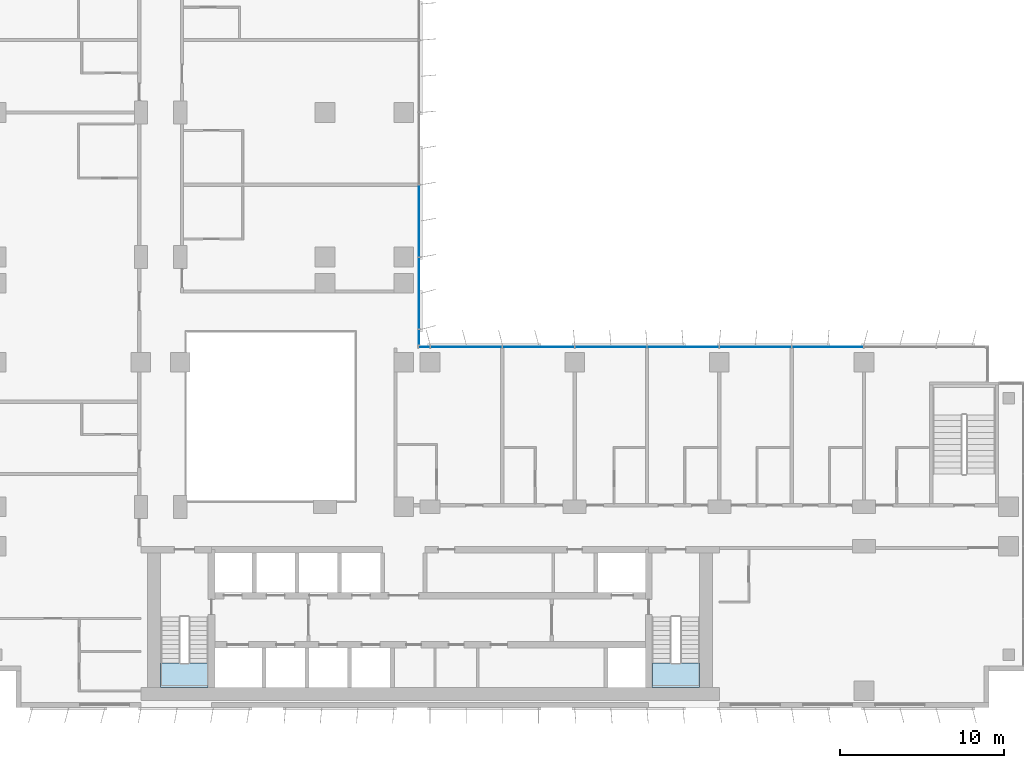
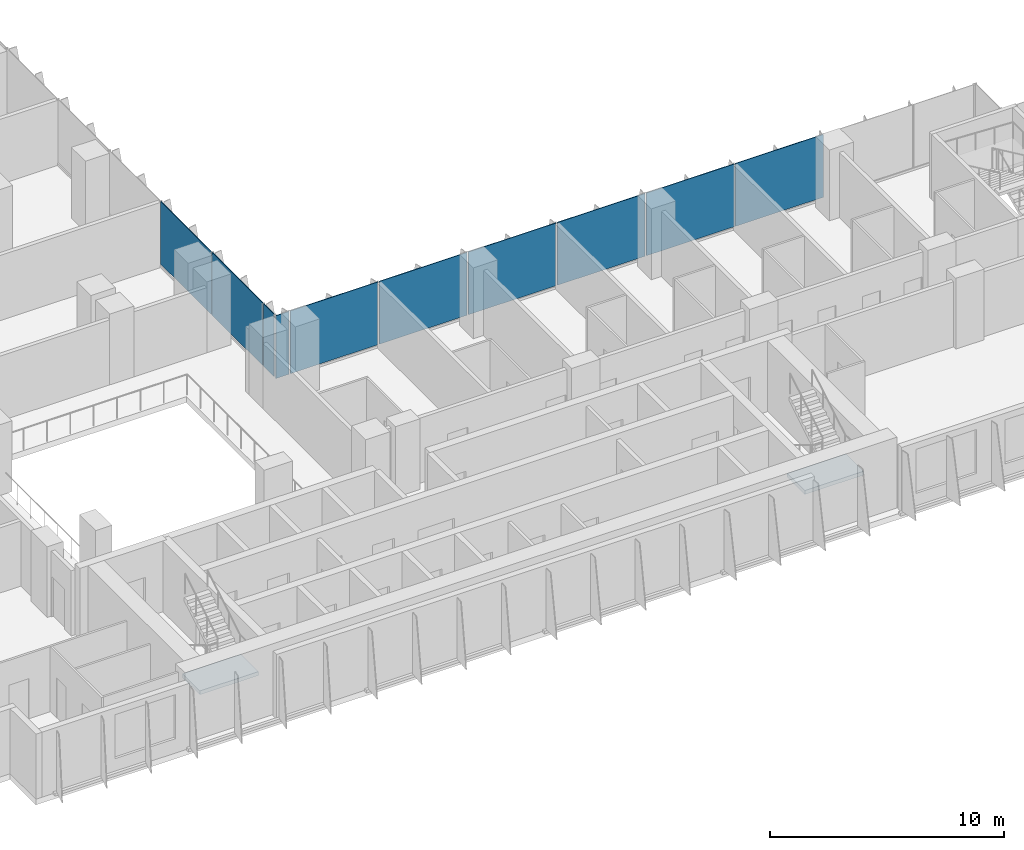
# One storey, part 10 of 22: 10 plates, 2 slabs, 4 elements without a shape of their own.
"""IFC4 building model written with IfcOpenShell, lengths in metres."""

import ifcopenshell
import ifcopenshell.guid

model = None  # the IFC model being written
_history = None  # IfcOwnerHistory: only IFC2X3 demands one
_inside = {}  # id of a spatial element -> (the spatial element, [elements in it])
_under = {}  # id of a project, library or spatial element -> (it, [spatial elements below it])
_declared = {}  # id of a project -> (the project, [libraries it declares])
_typed = {}  # id of a type object -> (the type object, [elements of that type])
_made_of = {}  # id of a material, layer set ... -> (it, [elements and type objects made of it])


def new_model(schema):
    """Start an empty IFC model of exactly this schema.

    Asked for "IFC4X3", IfcOpenShell would pick the latest addendum, in which some entities
    have other attributes; the version numbers below select the first issue.
    IFC2X3 requires an IfcOwnerHistory on every rooted entity: one is made here for all.
    """
    global model, _history
    if schema == "IFC4X3":
        model = ifcopenshell.file(schema_version=(4, 3, 0, 0))
    else:
        model = ifcopenshell.file(schema=schema)
    _inside.clear()
    _under.clear()
    _declared.clear()
    _typed.clear()
    _made_of.clear()
    _history = None
    if model.schema == "IFC2X3":
        org = make("IfcOrganization", Name="unknown")
        user = make(
            "IfcPersonAndOrganization",
            ThePerson=make("IfcPerson", FamilyName="unknown"),
            TheOrganization=org,
        )
        app = make(
            "IfcApplication",
            ApplicationDeveloper=org,
            Version="unknown",
            ApplicationFullName="unknown",
            ApplicationIdentifier="unknown",
        )
        _history = make(
            "IfcOwnerHistory",
            OwningUser=user,
            OwningApplication=app,
            ChangeAction="ADDED",
            CreationDate=0,
        )
    return model


def make(cls, **values):
    """One entity of the class cls with the attributes given. An attribute that is None is left unset."""
    return model.create_entity(
        cls, **{name: value for name, value in values.items() if value is not None}
    )


def rooted(cls, **values):
    """An entity with a GlobalId (a new one), such as an element, a storey or a relation."""
    return make(cls, GlobalId=ifcopenshell.guid.new(), OwnerHistory=_history, **values)


def si_unit(unit_type, name, prefix=None):
    """IfcSIUnit, for example si_unit("LENGTHUNIT", "METRE", prefix="MILLI")."""
    return make("IfcSIUnit", UnitType=unit_type, Prefix=prefix, Name=name)


def assignment(units):
    """IfcUnitAssignment: the units of a project."""
    return None if units is None else make("IfcUnitAssignment", Units=units)


def point(xyz):
    """IfcCartesianPoint."""
    return None if xyz is None else make("IfcCartesianPoint", Coordinates=xyz)


def direction(xyz):
    """IfcDirection."""
    return None if xyz is None else make("IfcDirection", DirectionRatios=xyz)


def frame(location, z_axis=None, x_axis=None):
    """IfcAxis2Placement3D, a coordinate frame: its origin and axes. An axis left out is left unset."""
    return make(
        "IfcAxis2Placement3D",
        Location=point(location),
        Axis=direction(z_axis),
        RefDirection=direction(x_axis),
    )


def frame_2d(location, x_axis=None):
    """IfcAxis2Placement2D, a coordinate frame in the plane: its origin and x axis."""
    return make(
        "IfcAxis2Placement2D", Location=point(location), RefDirection=direction(x_axis)
    )


def origin():
    """The frame at (0, 0, 0) with its axes left unset."""
    return frame((0.0, 0.0, 0.0))


def origin_2d():
    """The frame at (0, 0) in the plane with its x axis left unset."""
    return frame_2d((0.0, 0.0))


def place(relative_to, where):
    """IfcLocalPlacement: puts the frame where relative to a parent placement (None: the world)."""
    return make(
        "IfcLocalPlacement", PlacementRelTo=relative_to, RelativePlacement=where
    )


def context(
    kind, dimensions, precision=None, world=None, true_north=None, identifier=None
):
    """IfcGeometricRepresentationContext, for example the 3D "Model" context."""
    return make(
        "IfcGeometricRepresentationContext",
        ContextIdentifier=identifier,
        ContextType=kind,
        CoordinateSpaceDimension=dimensions,
        Precision=precision,
        WorldCoordinateSystem=world,
        TrueNorth=true_north,
    )


def subcontext(parent, identifier, kind, view, scale=None):
    """IfcGeometricRepresentationSubContext, for example "Body" below "Model"."""
    return make(
        "IfcGeometricRepresentationSubContext",
        ContextIdentifier=identifier,
        ContextType=kind,
        ParentContext=parent,
        TargetScale=scale,
        TargetView=view,
    )


def project(units=None, contexts=None):
    """IfcProject with its units and contexts."""
    return rooted(
        "IfcProject",
        Name="project",
        RepresentationContexts=contexts,
        UnitsInContext=assignment(units),
    )


def spatial(cls, under=None, at=None, **own):
    """A site, building, storey or space (cls), placed at a placement, below another one or the project."""
    s = rooted(cls, ObjectPlacement=at, **own)
    if under is not None:
        _under.setdefault(under.id(), (under, []))[1].append(s)
    return s


def polyline(points):
    """IfcPolyline through the points."""
    return make("IfcPolyline", Points=[point(p) for p in points])


def profile(cls, at=None, kind="AREA", **sizes):
    """A parametric profile (cls). Its sizes go by their IFC names, for example OverallWidth=200.0."""
    return make(cls, ProfileType=kind, Position=at, **sizes)


def rectangle(**sizes):
    """IfcRectangleProfileDef."""
    return profile("IfcRectangleProfileDef", **sizes)


def outline(outer, holes=None, kind="AREA"):
    """IfcArbitraryClosedProfileDef: a profile drawn as a closed curve; with holes, ...WithVoids."""
    if holes is None:
        return make("IfcArbitraryClosedProfileDef", ProfileType=kind, OuterCurve=outer)
    return make(
        "IfcArbitraryProfileDefWithVoids",
        ProfileType=kind,
        OuterCurve=outer,
        InnerCurves=holes,
    )


def extrude(swept, where, along, depth):
    """IfcExtrudedAreaSolid: the profile swept, set in the frame where, extruded along a direction by depth."""
    return make(
        "IfcExtrudedAreaSolid",
        SweptArea=swept,
        Position=where,
        ExtrudedDirection=direction(along),
        Depth=depth,
    )


def shape(context_of_items, identifier, shape_type, items):
    """IfcShapeRepresentation: the items that make up one representation, for example the "Body"."""
    return make(
        "IfcShapeRepresentation",
        ContextOfItems=context_of_items,
        RepresentationIdentifier=identifier,
        RepresentationType=shape_type,
        Items=items,
    )


def source(mapping_origin, context_of_items, identifier, shape_type, items):
    """IfcRepresentationMap: a shape defined once, which mapped items show again and again."""
    return make(
        "IfcRepresentationMap",
        MappingOrigin=mapping_origin,
        MappedRepresentation=shape(context_of_items, identifier, shape_type, items),
    )


def transform(
    local_origin,
    x_axis=None,
    y_axis=None,
    z_axis=None,
    scale=None,
    scale2=None,
    scale3=None,
    uniform=True,
):
    """IfcCartesianTransformationOperator3D, or its non-uniform kind. x_axis, y_axis, z_axis: its Axis1, 2, 3."""
    if uniform:
        return make(
            "IfcCartesianTransformationOperator3D",
            Axis1=direction(x_axis),
            Axis2=direction(y_axis),
            LocalOrigin=point(local_origin),
            Scale=scale,
            Axis3=direction(z_axis),
        )
    return make(
        "IfcCartesianTransformationOperator3DnonUniform",
        Axis1=direction(x_axis),
        Axis2=direction(y_axis),
        LocalOrigin=point(local_origin),
        Scale=scale,
        Axis3=direction(z_axis),
        Scale2=scale2,
        Scale3=scale3,
    )


def mapped(mapping_source, mapping_target):
    """IfcMappedItem: shows the shape of a source again, moved by a transform."""
    return make(
        "IfcMappedItem", MappingSource=mapping_source, MappingTarget=mapping_target
    )


def material(Name=None, Category=None):
    """IfcMaterial."""
    return make("IfcMaterial", Name=Name, Category=Category)


def layer(
    of_material, thickness, ventilated=None, Name=None, Category=None, Priority=None
):
    """IfcMaterialLayer: one layer of a wall or slab, of a material (None: an air gap)."""
    return make(
        "IfcMaterialLayer",
        Material=of_material,
        LayerThickness=thickness,
        IsVentilated=ventilated,
        Name=Name,
        Category=Category,
        Priority=Priority,
    )


def layer_set(layers, Name=None):
    """IfcMaterialLayerSet."""
    return make("IfcMaterialLayerSet", MaterialLayers=layers, LayerSetName=Name)


def made_of(thing, what):
    """Note that an element or type object is made of a material, layer set ...; save() writes the relation."""
    if what is not None:
        _made_of.setdefault(what.id(), (what, []))[1].append(thing)
    return thing


def type_object(cls, material=None, **own):
    """A type object (cls), such as IfcWallType, which elements share."""
    return made_of(rooted(cls, **own), material)


def element(
    cls,
    number,
    at=None,
    inside=None,
    cuts=None,
    type_object=None,
    material=None,
    context=None,
    identifier="Body",
    shape_type=None,
    held_by="IfcProductDefinitionShape",
    body=None,
    shapes=None,
    **own,
):
    """One element of the class cls, such as IfcWall. Its Tag is "e" and its number.

    at: its placement. inside: the storey or other place that contains it. cuts: it is an
    opening in that element (IfcRelVoidsElement). A single representation is given by context,
    identifier, shape_type and body (its items); several are given by shapes. held_by: the class
    of the entity that holds the representations. save() writes the other relations.
    """
    e = rooted(cls, Tag="e%d" % number, ObjectPlacement=at, **own)
    if body is not None:
        shapes = [shape(context, identifier, shape_type, body)]
    if shapes is not None:
        e.Representation = make(held_by, Representations=shapes)
    if inside is not None:
        _inside.setdefault(inside.id(), (inside, []))[1].append(e)
    if cuts is not None:
        rooted(
            "IfcRelVoidsElement", RelatingBuildingElement=cuts, RelatedOpeningElement=e
        )
    if type_object is not None:
        _typed.setdefault(type_object.id(), (type_object, []))[1].append(e)
    return made_of(e, material)


def aggregate(whole, parts):
    """IfcRelAggregates: a whole, such as a stair, and the parts it consists of."""
    return rooted("IfcRelAggregates", RelatingObject=whole, RelatedObjects=parts)


def save(model, path):
    """Write the relations noted so far, then the file.

    IfcRelAggregates (storeys below a building ...), IfcRelContainedInSpatialStructure (elements
    in a storey), IfcRelDefinesByType, IfcRelAssociatesMaterial and IfcRelDeclares: one each for
    every whole, place, type object, material and project.
    """
    for whole, parts in _under.values():
        aggregate(whole, parts)
    for where, things in _inside.values():
        rooted(
            "IfcRelContainedInSpatialStructure",
            RelatedElements=things,
            RelatingStructure=where,
        )
    for kind, things in _typed.values():
        rooted("IfcRelDefinesByType", RelatedObjects=things, RelatingType=kind)
    for what, things in _made_of.values():
        rooted("IfcRelAssociatesMaterial", RelatedObjects=things, RelatingMaterial=what)
    for by, libraries in _declared.values():
        rooted("IfcRelDeclares", RelatingContext=by, RelatedDefinitions=libraries)
    model.write(path)


model = new_model("IFC4")

# Units and contexts
model_context = context("Model", 3, precision=1e-05, world=origin(), true_north=direction((0.0, 1.0)))
body_context = subcontext(model_context, "Body", "Model", "MODEL_VIEW")
ifc_project = project(units=[si_unit("LENGTHUNIT", "METRE"), si_unit("AREAUNIT", "SQUARE_METRE"), si_unit("VOLUMEUNIT", "CUBIC_METRE"), si_unit("PLANEANGLEUNIT", "RADIAN"), si_unit("MASSUNIT", "GRAM", prefix="KILO")], contexts=[model_context])

# Site, building, storey
site_placement = place(None, origin())
site = spatial("IfcSite", under=ifc_project, at=site_placement, CompositionType="ELEMENT")
building_placement = place(site_placement, origin())
building = spatial("IfcBuilding", under=site, at=building_placement, Name="Kemantara Hotel Tower", CompositionType="ELEMENT")
storey_placement = place(building_placement, frame((0.0, 0.0, 111.10009765625)))
storey = spatial("IfcBuildingStorey", under=building, at=storey_placement, Name="L26", CompositionType="ELEMENT", Elevation=111.10009765625)

# Stair, slab
ifc_material_1 = material(Name="Concrete fc 40 MPa", Category="concrete")
stair_type = type_object("IfcStairType", Name="Stair 1200 wide 22 risers of 168 x 280 mm", PredefinedType="HALF_TURN_STAIR", material=ifc_material_1)
stair_1_placement = place(storey_placement, origin())
stair_1 = element("IfcStair", 1, at=stair_1_placement, inside=storey, type_object=stair_type, Name="L26 Exit stair ST1", PredefinedType="HALF_TURN_STAIR")
ifc_layer_1 = layer(ifc_material_1, 0.199951171875)
ifc_layer_set_1 = layer_set([ifc_layer_1], Name="Concrete fc 40 MPa")
slab_type = type_object("IfcSlabType", Name="Stair landing 200 mm", PredefinedType="LANDING", material=ifc_layer_set_1)
slab_1_placement = place(storey_placement, frame((0.0, 0.0, 1.64990234375)))
slab_1 = element("IfcSlab", 2, at=slab_1_placement, type_object=slab_type, Name="ST1 landing 1", PredefinedType="LANDING", context=body_context, shape_type="SweptSolid", body=[
    extrude(outline(polyline([(11.0, 2.699951171875), (11.0, 1.199951171875), (13.89990234375, 1.199951171875), (13.89990234375, 2.699951171875), (11.0, 2.699951171875)])), origin(), (0.0, 0.0, 1.0), 0.199951171875),
])
aggregate(stair_1, [slab_1])

stair_2_placement = place(storey_placement, origin())
stair_2 = element("IfcStair", 3, at=stair_2_placement, inside=storey, type_object=stair_type, Name="L26 Exit stair ST2", PredefinedType="HALF_TURN_STAIR")
slab_2_placement = place(storey_placement, frame((0.0, 0.0, 1.64990234375)))
slab_2 = element("IfcSlab", 4, at=slab_2_placement, type_object=slab_type, Name="ST2 landing 1", PredefinedType="LANDING", context=body_context, shape_type="SweptSolid", body=[
    extrude(outline(polyline([(40.89990234375, 2.699951171875), (40.89990234375, 1.199951171875), (43.800048828125, 1.199951171875), (43.800048828125, 2.699951171875), (40.89990234375, 2.699951171875)])), origin(), (0.0, 0.0, 1.0), 0.199951171875),
])
aggregate(stair_2, [slab_2])

# Curtain wall, plates
ifc_material_2 = material(Name="Low-E tinted double insulated glass 36 mm", Category="glass")
curtain_wall_type = type_object("IfcCurtainWallType", Name="TOWER CURTAIN WALL, FRONT FACES", PredefinedType="USERDEFINED", material=ifc_material_2)
curtain_wall_1_placement = place(storey_placement, origin())
curtain_wall_1 = element("IfcCurtainWall", 5, at=curtain_wall_1_placement, inside=storey, type_object=curtain_wall_type, Name="CW4 L26 T2-R13-1", ObjectType="TOWER CURTAIN WALL, FRONT FACES", PredefinedType="USERDEFINED")
ifc_layer_2 = layer(ifc_material_2, 0.035888671875)
ifc_layer_set_2 = layer_set([ifc_layer_2], Name="Low-E tinted double insulated glass 36 mm")
plate_type = type_object("IfcPlateType", Name="TOWER CURTAIN WALL, FRONT FACES PANEL", PredefinedType="CURTAIN_PANEL", material=ifc_layer_set_2)
shared_shape_1 = source(origin(), body_context, "Body", "SweptSolid", [
    extrude(rectangle(XDim=4.340087890625, YDim=0.035888671875, at=origin_2d()), origin(), (0.0, 0.0, 1.0), 3.280029296875),
])
plate_1_placement = place(storey_placement, frame((51.60009765625, 21.925048828125, 0.1201171875), z_axis=(0.0, 0.0, 1.0), x_axis=(-1.0, 0.0, 0.0)))
plate_1 = element("IfcPlate", 6, at=plate_1_placement, type_object=plate_type, Name="CW4 glass panel T2-R13-1.3", PredefinedType="CURTAIN_PANEL", context=body_context, shape_type="MappedRepresentation", body=[
    mapped(shared_shape_1, transform((0.0, 0.0, 0.0))),
])
plate_2_placement = place(storey_placement, frame((47.199951171875, 21.925048828125, 0.1201171875), z_axis=(0.0, 0.0, 1.0), x_axis=(-1.0, 0.0, 0.0)))
plate_2 = element("IfcPlate", 7, at=plate_2_placement, type_object=plate_type, Name="CW4 glass panel T2-R13-1.4", PredefinedType="CURTAIN_PANEL", context=body_context, shape_type="MappedRepresentation", body=[
    mapped(shared_shape_1, transform((0.0, 0.0, 0.0))),
])
plate_3_placement = place(storey_placement, frame((42.800048828125, 21.925048828125, 0.1201171875), z_axis=(0.0, 0.0, 1.0), x_axis=(-1.0, 0.0, 0.0)))
plate_3 = element("IfcPlate", 8, at=plate_3_placement, type_object=plate_type, Name="CW4 glass panel T2-R13-1.5", PredefinedType="CURTAIN_PANEL", context=body_context, shape_type="MappedRepresentation", body=[
    mapped(shared_shape_1, transform((0.0, 0.0, 0.0))),
])
plate_4_placement = place(storey_placement, frame((38.39990234375, 21.925048828125, 0.1201171875), z_axis=(0.0, 0.0, 1.0), x_axis=(-1.0, 0.0, 0.0)))
plate_4 = element("IfcPlate", 9, at=plate_4_placement, type_object=plate_type, Name="CW4 glass panel T2-R13-1.6", PredefinedType="CURTAIN_PANEL", context=body_context, shape_type="MappedRepresentation", body=[
    mapped(shared_shape_1, transform((0.0, 0.0, 0.0))),
])
plate_5_placement = place(storey_placement, frame((34.0, 21.925048828125, 0.1201171875), z_axis=(0.0, 0.0, 1.0), x_axis=(-1.0, 0.0, 0.0)))
plate_5 = element("IfcPlate", 10, at=plate_5_placement, type_object=plate_type, Name="CW4 glass panel T2-R13-1.7", PredefinedType="CURTAIN_PANEL", context=body_context, shape_type="MappedRepresentation", body=[
    mapped(shared_shape_1, transform((0.0, 0.0, 0.0))),
])
plate_6_placement = place(storey_placement, frame((29.60009765625, 21.925048828125, 0.1201171875), z_axis=(0.0, 0.0, 1.0), x_axis=(-1.0, 0.0, 0.0)))
plate_6 = element("IfcPlate", 11, at=plate_6_placement, type_object=plate_type, Name="CW4 glass panel T2-R13-1.8", PredefinedType="CURTAIN_PANEL", context=body_context, shape_type="MappedRepresentation", body=[
    mapped(shared_shape_1, transform((0.0, 0.0, 0.0))),
])

curtain_wall_2_placement = place(storey_placement, origin())
curtain_wall_2 = element("IfcCurtainWall", 12, at=curtain_wall_2_placement, inside=storey, type_object=curtain_wall_type, Name="CW4 L26 T2-R14-1", ObjectType="TOWER CURTAIN WALL, FRONT FACES", PredefinedType="USERDEFINED")
plate_7_placement = place(storey_placement, frame((26.72509765625, 25.199951171875, 0.1201171875), z_axis=(0.0, 0.0, 1.0), x_axis=(0.0, 1.0, 0.0)))
plate_7 = element("IfcPlate", 13, at=plate_7_placement, type_object=plate_type, Name="CW4 glass panel T2-R14-1.2", PredefinedType="CURTAIN_PANEL", context=body_context, shape_type="MappedRepresentation", body=[
    mapped(shared_shape_1, transform((0.0, 0.0, 0.0))),
])
plate_8_placement = place(storey_placement, frame((26.72509765625, 29.60009765625, 0.1201171875), z_axis=(0.0, 0.0, 1.0), x_axis=(0.0, 1.0, 0.0)))
plate_8 = element("IfcPlate", 14, at=plate_8_placement, type_object=plate_type, Name="CW4 glass panel T2-R14-1.3", PredefinedType="CURTAIN_PANEL", context=body_context, shape_type="MappedRepresentation", body=[
    mapped(shared_shape_1, transform((0.0, 0.0, 0.0))),
])

# Plate
shared_shape_2 = source(origin(), body_context, "Body", "SweptSolid", [
    extrude(rectangle(XDim=0.659912109375, YDim=0.035888671875, at=origin_2d()), origin(), (0.0, 0.0, 1.0), 3.280029296875),
])
plate_9_placement = place(storey_placement, frame((27.0400390625, 21.925048828125, 0.1201171875), z_axis=(0.0, 0.0, 1.0), x_axis=(-1.0, 0.0, 0.0)))
plate_9 = element("IfcPlate", 15, at=plate_9_placement, type_object=plate_type, Name="CW4 glass panel T2-R13-1.9", PredefinedType="CURTAIN_PANEL", context=body_context, shape_type="MappedRepresentation", body=[
    mapped(shared_shape_2, transform((0.0, 0.0, 0.0))),
])

aggregate(curtain_wall_1, [plate_1, plate_2, plate_3, plate_4, plate_5, plate_6, plate_9])

shared_shape_3 = source(origin(), body_context, "Body", "SweptSolid", [
    extrude(rectangle(XDim=0.909912109375, YDim=0.035888671875, at=origin_2d()), origin(), (0.0, 0.0, 1.0), 3.280029296875),
])
plate_10_placement = place(storey_placement, frame((26.72509765625, 22.514892578125, 0.1201171875), z_axis=(0.0, 0.0, 1.0), x_axis=(0.0, 1.0, 0.0)))
plate_10 = element("IfcPlate", 16, at=plate_10_placement, type_object=plate_type, Name="CW4 glass panel T2-R14-1.1", PredefinedType="CURTAIN_PANEL", context=body_context, shape_type="MappedRepresentation", body=[
    mapped(shared_shape_3, transform((0.0, 0.0, 0.0))),
])

aggregate(curtain_wall_2, [plate_10, plate_7, plate_8])

save(model, "model.ifc")
